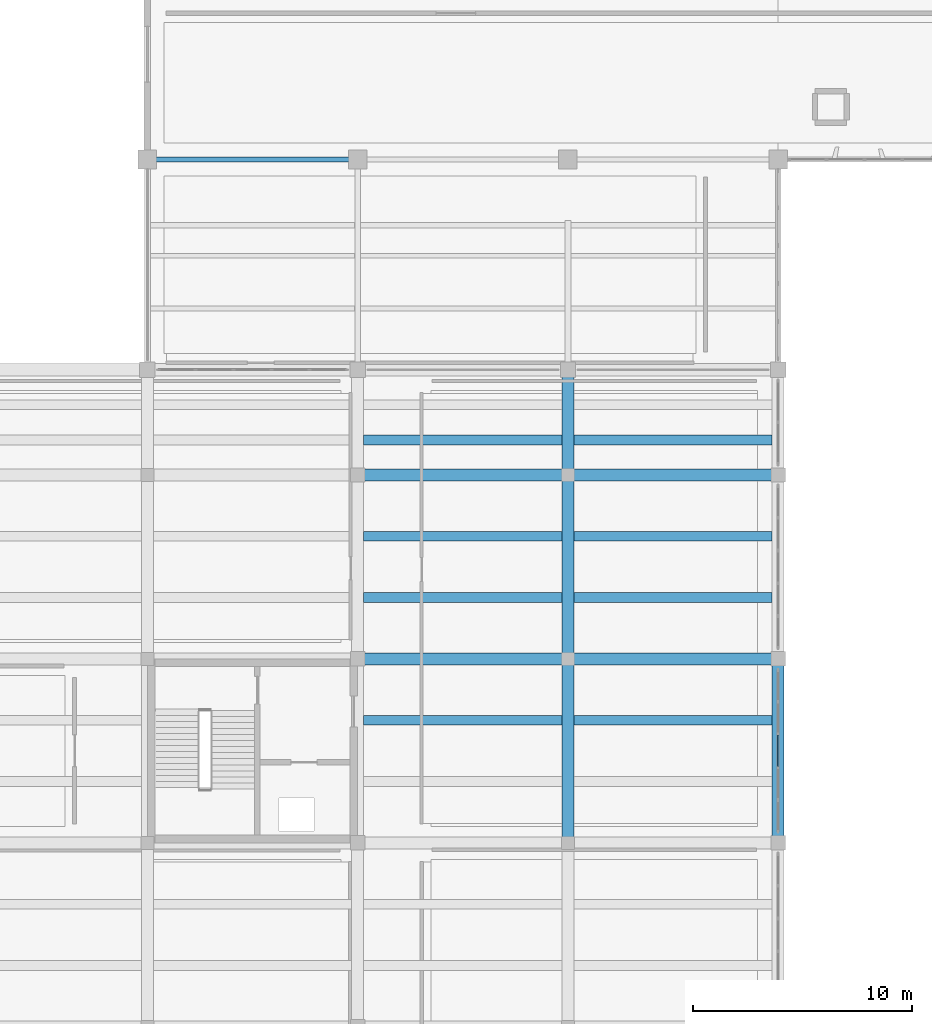
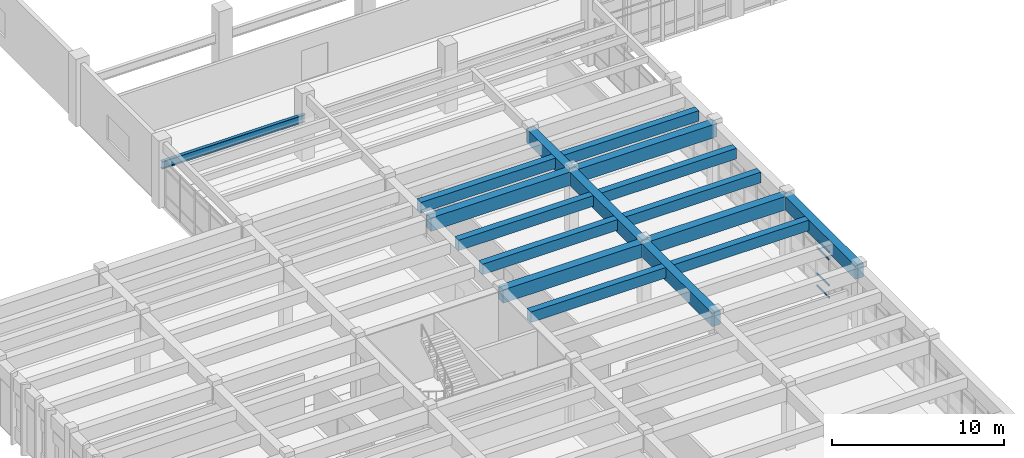
# One storey, part 20 of 86: 17 beams, 4 members, 1 element without a shape of its own.
"""IFC4 building model written with IfcOpenShell, lengths in metres."""

from ifc_helpers import new_model, si_unit, direction, frame, origin, origin_2d, place, context, subcontext, project, spatial, rectangle, i_section, extrude, material, layer, layer_set, material_profile, profile_set, type_object, element, aggregate, save


model = new_model("IFC4")

# Units and contexts
model_context = context("Model", 3, precision=1e-05, world=origin(), true_north=direction((0.0, 1.0)))
body_context = subcontext(model_context, "Body", "Model", "MODEL_VIEW")
ifc_project = project(units=[si_unit("LENGTHUNIT", "METRE"), si_unit("AREAUNIT", "SQUARE_METRE"), si_unit("VOLUMEUNIT", "CUBIC_METRE"), si_unit("PLANEANGLEUNIT", "RADIAN"), si_unit("MASSUNIT", "GRAM", prefix="KILO")], contexts=[model_context])

# Site, building, storey
site_placement = place(None, origin())
site = spatial("IfcSite", under=ifc_project, at=site_placement, CompositionType="ELEMENT")
building_placement = place(site_placement, origin())
building = spatial("IfcBuilding", under=site, at=building_placement, Name="Kolvemor Railside Polytechnic", CompositionType="ELEMENT")
storey_placement = place(building_placement, frame((0.0, 0.0, 5.39990234375)))
storey = spatial("IfcBuildingStorey", under=building, at=storey_placement, Name="L01", CompositionType="ELEMENT", Elevation=5.39990234375)

# Beams
ifc_material_1 = material(Name="Concrete C40/50", Category="concrete")
ifc_material_profile_1 = material_profile(ifc_material_1, rectangle(XDim=0.550048828125, YDim=0.949951171875, at=origin_2d()), Name="RC550x950")
ifc_profile_set_1 = profile_set([ifc_material_profile_1], Name="Concrete C40/50")
beam_type_1 = type_object("IfcBeamType", Name="BM-RC-GIRD", PredefinedType="BEAM", material=ifc_profile_set_1)
beam_1_placement = place(storey_placement, frame((28.800048828125, 68.39990234375, 4.005126953125), z_axis=(1.0, 0.0, 0.0), x_axis=(0.0, 1.0, 0.0)))
element("IfcBeam", 1, at=beam_1_placement, inside=storey, type_object=beam_type_1, Name="Primary Girder L02-GX 0596", PredefinedType="BEAM", context=body_context, shape_type="SweptSolid", body=[
    extrude(rectangle(XDim=0.550048828125, YDim=0.949951171875, at=origin_2d()), origin(), (0.0, 0.0, 1.0), 9.599853515625),
])
beam_2_placement = place(storey_placement, frame((38.39990234375, 68.39990234375, 4.005126953125), z_axis=(1.0, 0.0, 0.0), x_axis=(0.0, 1.0, 0.0)))
element("IfcBeam", 2, at=beam_2_placement, inside=storey, type_object=beam_type_1, Name="Primary Girder L02-GX 0597", PredefinedType="BEAM", context=body_context, shape_type="SweptSolid", body=[
    extrude(rectangle(XDim=0.550048828125, YDim=0.949951171875, at=origin_2d()), origin(), (0.0, 0.0, 1.0), 9.60009765625),
])
beam_3_placement = place(storey_placement, frame((28.800048828125, 76.800048828125, 4.005126953125), z_axis=(1.0, 0.0, 0.0), x_axis=(0.0, 1.0, 0.0)))
element("IfcBeam", 3, at=beam_3_placement, inside=storey, type_object=beam_type_1, Name="Primary Girder L02-GX 0601", PredefinedType="BEAM", context=body_context, shape_type="SweptSolid", body=[
    extrude(rectangle(XDim=0.550048828125, YDim=0.949951171875, at=origin_2d()), origin(), (0.0, 0.0, 1.0), 9.599853515625),
])
beam_4_placement = place(storey_placement, frame((38.39990234375, 76.800048828125, 4.005126953125), z_axis=(1.0, 0.0, 0.0), x_axis=(0.0, 1.0, 0.0)))
element("IfcBeam", 4, at=beam_4_placement, inside=storey, type_object=beam_type_1, Name="Primary Girder L02-GX 0602", PredefinedType="BEAM", context=body_context, shape_type="SweptSolid", body=[
    extrude(rectangle(XDim=0.550048828125, YDim=0.949951171875, at=origin_2d()), origin(), (0.0, 0.0, 1.0), 9.60009765625),
])
beam_5_placement = place(storey_placement, frame((38.39990234375, 60.0, 4.005126953125), z_axis=(0.0, 1.0, 0.0), x_axis=(-1.0, 0.0, 0.0)))
element("IfcBeam", 5, at=beam_5_placement, inside=storey, type_object=beam_type_1, Name="Primary Girder L02-GY 0650", PredefinedType="BEAM", context=body_context, shape_type="SweptSolid", body=[
    extrude(rectangle(XDim=0.550048828125, YDim=0.949951171875, at=origin_2d()), origin(), (0.0, 0.0, 1.0), 8.39990234375),
])
beam_6_placement = place(storey_placement, frame((38.39990234375, 68.39990234375, 4.005126953125), z_axis=(0.0, 1.0, 0.0), x_axis=(-1.0, 0.0, 0.0)))
element("IfcBeam", 6, at=beam_6_placement, inside=storey, type_object=beam_type_1, Name="Primary Girder L02-GY 0651", PredefinedType="BEAM", context=body_context, shape_type="SweptSolid", body=[
    extrude(rectangle(XDim=0.550048828125, YDim=0.949951171875, at=origin_2d()), origin(), (0.0, 0.0, 1.0), 8.400146484375),
])
beam_7_placement = place(storey_placement, frame((38.39990234375, 76.800048828125, 4.005126953125), z_axis=(0.0, 1.0, 0.0), x_axis=(-1.0, 0.0, 0.0)))
element("IfcBeam", 7, at=beam_7_placement, inside=storey, type_object=beam_type_1, Name="Primary Girder L02-GY 0652", PredefinedType="BEAM", context=body_context, shape_type="SweptSolid", body=[
    extrude(rectangle(XDim=0.550048828125, YDim=0.949951171875, at=origin_2d()), origin(), (0.0, 0.0, 1.0), 4.800048828125),
])
beam_8_placement = place(storey_placement, frame((48.0, 60.0, 4.005126953125), z_axis=(0.0, 1.0, 0.0), x_axis=(-1.0, 0.0, 0.0)))
element("IfcBeam", 8, at=beam_8_placement, inside=storey, type_object=beam_type_1, Name="Primary Girder L02-GY 0659", PredefinedType="BEAM", context=body_context, shape_type="SweptSolid", body=[
    extrude(rectangle(XDim=0.550048828125, YDim=0.949951171875, at=origin_2d()), origin(), (0.0, 0.0, 1.0), 8.39990234375),
])
ifc_material_2 = material(Name="Concrete C40/50", Category="concrete")
ifc_material_profile_2 = material_profile(ifc_material_2, rectangle(XDim=0.449951171875, YDim=0.75, at=origin_2d()), Name="RC450x750")
ifc_profile_set_2 = profile_set([ifc_material_profile_2], Name="Concrete C40/50")
beam_type_2 = type_object("IfcBeamType", Name="BM-RC-SEC", PredefinedType="JOIST", material=ifc_profile_set_2)
for number, where, z_axis, x_axis, name in (
    (9, (29.074951171875, 65.60009765625, 4.10498046875), (1.0, 0.0, 0.0), (0.0, 1.0, 0.0), "Floor Joist L02-J0725"),
    (10, (29.074951171875, 71.199951171875, 4.10498046875), (1.0, 0.0, 0.0), (0.0, 1.0, 0.0), "Floor Joist L02-J0726"),
    (11, (29.074951171875, 74.0, 4.10498046875), (1.0, 0.0, 0.0), (0.0, 1.0, 0.0), "Floor Joist L02-J0727"),
    (12, (29.074951171875, 78.39990234375, 4.10498046875), (1.0, 0.0, 0.0), (0.0, 1.0, 0.0), "Floor Joist L02-J0728"),
    (13, (38.675048828125, 65.60009765625, 4.10498046875), (1.0, 0.0, 0.0), (0.0, 1.0, 0.0), "Floor Joist L02-J0743"),
    (14, (38.675048828125, 71.199951171875, 4.10498046875), (1.0, 0.0, 0.0), (0.0, 1.0, 0.0), "Floor Joist L02-J0744"),
    (15, (38.675048828125, 74.0, 4.10498046875), (1.0, 0.0, 0.0), (0.0, 1.0, 0.0), "Floor Joist L02-J0745"),
    (16, (38.675048828125, 78.39990234375, 4.10498046875), (1.0, 0.0, 0.0), (0.0, 1.0, 0.0), "Floor Joist L02-J0746"),
):
    element("IfcBeam", number, at=place(storey_placement, frame(where, z_axis=z_axis, x_axis=x_axis)), inside=storey, type_object=beam_type_2, Name=name, PredefinedType="JOIST", context=body_context, shape_type="SweptSolid", body=[
        extrude(rectangle(XDim=0.449951171875, YDim=0.75, at=origin_2d()), origin(), (0.0, 0.0, 1.0), 9.050048828125),
    ])
ifc_material_3 = material(Name="Steel S355", Category="steel")
ifc_material_profile_3 = material_profile(ifc_material_3, i_section(OverallWidth=0.2109375, OverallDepth=0.5390625, WebThickness=0.01171875, FlangeThickness=0.018798828125, FilletRadius=0.013916015625, at=origin_2d()), Name="W530x109")
ifc_profile_set_3 = profile_set([ifc_material_profile_3], Name="Steel S355")
beam_type_3 = type_object("IfcBeamType", Name="BM-ST-CRANE2", PredefinedType="BEAM", material=ifc_profile_set_3)
beam_9_placement = place(storey_placement, frame((19.199951171875, 91.199951171875, 2.730712890625), z_axis=(1.0, 0.0, 0.0), x_axis=(0.0, 1.0, 0.0)))
element("IfcBeam", 17, at=beam_9_placement, inside=storey, type_object=beam_type_3, Name="Workshop Header Steel Girder CRG-G01", PredefinedType="BEAM", context=body_context, shape_type="SweptSolid", body=[
    extrude(i_section(OverallWidth=0.2109375, OverallDepth=0.5390625, WebThickness=0.01171875, FlangeThickness=0.018798828125, FilletRadius=0.013916015625, at=origin_2d()), origin(), (0.0, 0.0, 1.0), 9.60009765625),
])

# Curtain wall, members
ifc_material_4 = material(Name="Anodised marine aluminium and laminated low-E glass", Category="aluminium")
ifc_layer = layer(ifc_material_4, 0.179931640625, Name="CW-UNIT-STD")
ifc_layer_set = layer_set([ifc_layer], Name="Anodised marine aluminium and laminated low-E glass")
curtain_wall_type = type_object("IfcCurtainWallType", Name="CW-UNIT-STD", PredefinedType="USERDEFINED", material=ifc_layer_set)
curtain_wall_placement = place(storey_placement, origin())
curtain_wall = element("IfcCurtainWall", 18, at=curtain_wall_placement, inside=storey, type_object=curtain_wall_type, Name="Curtain Wall L01-076", ObjectType="UNITISED CURTAIN WALL", PredefinedType="USERDEFINED")
ifc_material_5 = material(Name="Anodised marine aluminium 6063-T6", Category="aluminium")
ifc_material_profile_4 = material_profile(ifc_material_5, rectangle(XDim=0.06494140625, YDim=0.1201171875, at=origin_2d()), Name="CW-TRN-65x120")
ifc_profile_set_4 = profile_set([ifc_material_profile_4], Name="Anodised marine aluminium 6063-T6")
member_type = type_object("IfcMemberType", Name="CWT-65x120", PredefinedType="USERDEFINED", material=ifc_profile_set_4)
member_1_placement = place(storey_placement, frame((48.0, 63.486572265625, 0.03271484375), z_axis=(0.0, 1.0, 0.0), x_axis=(-1.0, 0.0, 0.0)))
member_1 = element("IfcMember", 19, at=member_1_placement, type_object=member_type, Name="CW-STD transom 3.1", ObjectType="TRANSOM", PredefinedType="USERDEFINED", context=body_context, shape_type="SweptSolid", body=[
    extrude(rectangle(XDim=0.06494140625, YDim=0.1201171875, at=origin_2d()), origin(), (0.0, 0.0, 1.0), 1.427001953125),
])
member_2_placement = place(storey_placement, frame((48.0, 63.486572265625, 0.900146484375), z_axis=(0.0, 1.0, 0.0), x_axis=(-1.0, 0.0, 0.0)))
member_2 = element("IfcMember", 20, at=member_2_placement, type_object=member_type, Name="CW-STD transom 3.2", ObjectType="TRANSOM", PredefinedType="USERDEFINED", context=body_context, shape_type="SweptSolid", body=[
    extrude(rectangle(XDim=0.06494140625, YDim=0.1201171875, at=origin_2d()), origin(), (0.0, 0.0, 1.0), 1.427001953125),
])
member_3_placement = place(storey_placement, frame((48.0, 63.486572265625, 2.72998046875), z_axis=(0.0, 1.0, 0.0), x_axis=(-1.0, 0.0, 0.0)))
member_3 = element("IfcMember", 21, at=member_3_placement, type_object=member_type, Name="CW-STD transom 3.3", ObjectType="TRANSOM", PredefinedType="USERDEFINED", context=body_context, shape_type="SweptSolid", body=[
    extrude(rectangle(XDim=0.06494140625, YDim=0.1201171875, at=origin_2d()), origin(), (0.0, 0.0, 1.0), 1.427001953125),
])
member_4_placement = place(storey_placement, frame((48.0, 63.486572265625, 3.24755859375), z_axis=(0.0, 1.0, 0.0), x_axis=(-1.0, 0.0, 0.0)))
member_4 = element("IfcMember", 22, at=member_4_placement, type_object=member_type, Name="CW-STD transom 3.4", ObjectType="TRANSOM", PredefinedType="USERDEFINED", context=body_context, shape_type="SweptSolid", body=[
    extrude(rectangle(XDim=0.06494140625, YDim=0.1201171875, at=origin_2d()), origin(), (0.0, 0.0, 1.0), 1.427001953125),
])
aggregate(curtain_wall, [member_1, member_2, member_3, member_4])

save(model, "model.ifc")
